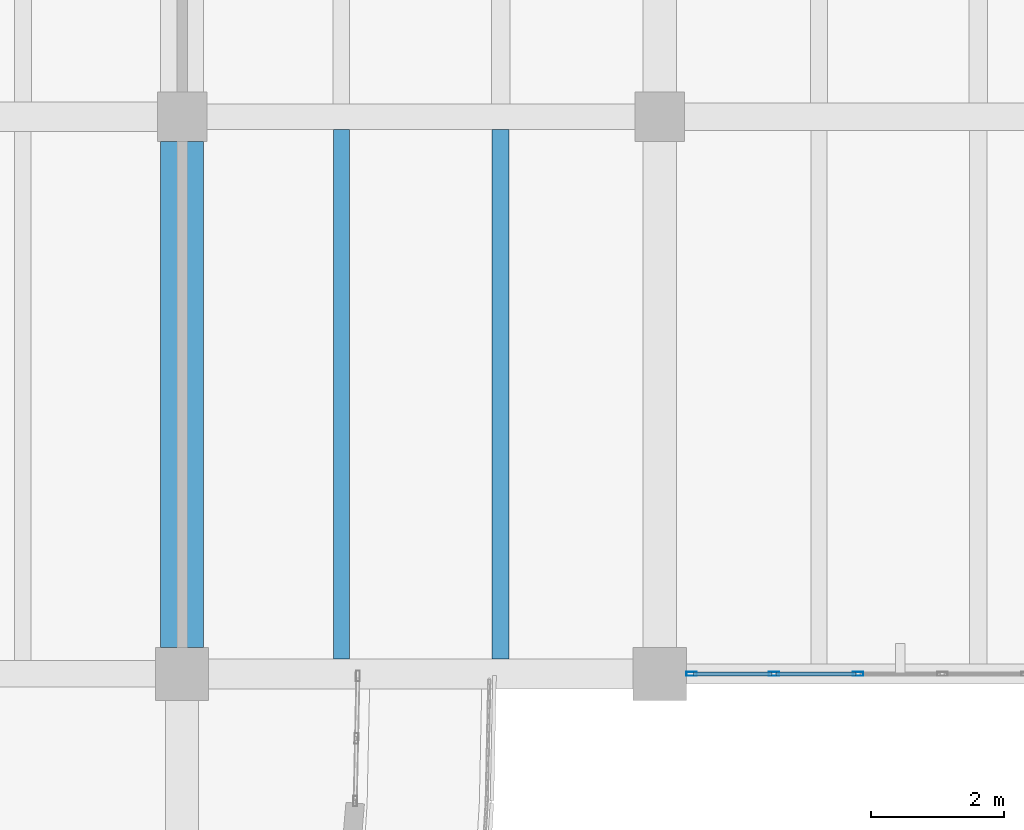
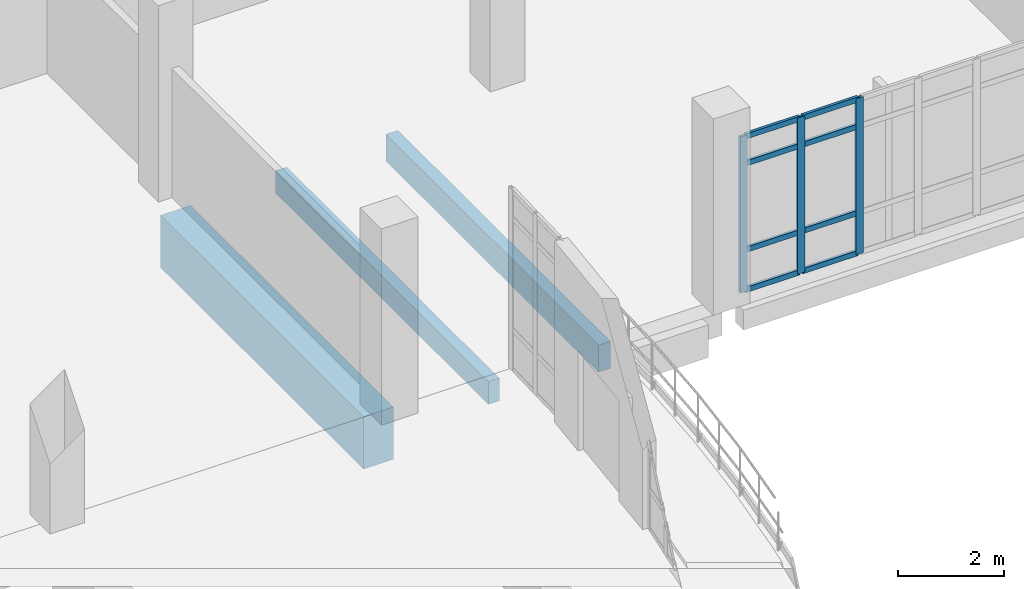
# One storey, part 68 of 116: 11 members, 3 beams, 1 element without a shape of its own.
"""IFC4 building model written with IfcOpenShell, lengths in metres."""

from ifc_helpers import new_model, si_unit, direction, frame, origin, origin_2d, place, context, subcontext, project, spatial, rectangle, hollow_rectangle, extrude, material, material_profile, profile_set, type_object, element, aggregate, save


model = new_model("IFC4")

# Units and contexts
model_context = context("Model", 3, precision=1e-05, world=origin(), true_north=direction((0.0, 1.0)))
body_context = subcontext(model_context, "Body", "Model", "MODEL_VIEW")
ifc_project = project(units=[si_unit("LENGTHUNIT", "METRE"), si_unit("AREAUNIT", "SQUARE_METRE"), si_unit("VOLUMEUNIT", "CUBIC_METRE"), si_unit("PLANEANGLEUNIT", "RADIAN"), si_unit("MASSUNIT", "GRAM", prefix="KILO")], contexts=[model_context])

# Site, building, storey
site_placement = place(None, origin())
site = spatial("IfcSite", under=ifc_project, at=site_placement, CompositionType="ELEMENT")
building_placement = place(site_placement, origin())
building = spatial("IfcBuilding", under=site, at=building_placement, Name="Kalluvel Institute of Natural Sciences", CompositionType="ELEMENT")
storey_placement = place(building_placement, frame((0.0, 0.0, 14.39990234375)))
storey = spatial("IfcBuildingStorey", under=building, at=storey_placement, Name="L03", CompositionType="ELEMENT", Elevation=14.39990234375)

# Beam
ifc_material_1 = material(Name="Concrete M50", Category="concrete")
ifc_material_profile_1 = material_profile(ifc_material_1, rectangle(XDim=0.64990234375, YDim=1.199951171875, at=origin_2d()), Name="RCB 650x1200")
ifc_profile_set_1 = profile_set([ifc_material_profile_1], Name="Concrete M50")
beam_type_1 = type_object("IfcBeamType", Name="BM-RC650x1200", PredefinedType="BEAM", material=ifc_profile_set_1)
beam_1_placement = place(storey_placement, frame((78.800048828125, 103.199951171875, -0.919921875), z_axis=(0.0, 1.0, 0.0), x_axis=(-1.0, 0.0, 0.0)))
element("IfcBeam", 1, at=beam_1_placement, inside=storey, type_object=beam_type_1, Name="L03 girder GIR-L03-NS-X788-Y1028", PredefinedType="BEAM", context=body_context, shape_type="SweptSolid", body=[
    extrude(rectangle(XDim=0.64990234375, YDim=1.199951171875, at=origin_2d()), origin(), (0.0, 0.0, 1.0), 7.625),
])

# Curtain wall, members
ifc_material_2 = material(Name="Aluminium AW-6063 T6", Category="aluminium")
curtain_wall_type = type_object("IfcCurtainWallType", Name="CW-WET-45", PredefinedType="USERDEFINED", material=ifc_material_2)
curtain_wall_placement = place(storey_placement, origin())
curtain_wall = element("IfcCurtainWall", 2, at=curtain_wall_placement, inside=storey, type_object=curtain_wall_type, Name="L03 Gothic lancet curtain wall CWA-L03-X864-Y1028", ObjectType="UNITISED LANCET FACADE", PredefinedType="USERDEFINED")
ifc_material_profile_2 = material_profile(ifc_material_2, hollow_rectangle(XDim=0.06005859375, YDim=0.159912109375, WallThickness=0.00390625, at=origin_2d()), Name="CWM 60x160")
ifc_profile_set_2 = profile_set([ifc_material_profile_2], Name="Aluminium AW-6063 T6")
member_type_1 = type_object("IfcMemberType", Name="CWM-60x160", PredefinedType="MULLION", material=ifc_profile_set_2)
member_1_placement = place(storey_placement, frame((86.47998046875, 102.800048828125, 0.0), z_axis=(0.0, 0.0, 1.0), x_axis=(0.0, 1.0, 0.0)))
member_1 = element("IfcMember", 3, at=member_1_placement, type_object=member_type_1, Name="CW-01 mullion 1", PredefinedType="MULLION", context=body_context, shape_type="SweptSolid", body=[
    extrude(hollow_rectangle(XDim=0.06005859375, YDim=0.159912109375, WallThickness=0.00390625, at=origin_2d()), origin(), (0.0, 0.0, 1.0), 3.580078125),
])
member_2_placement = place(storey_placement, frame((87.719970703125, 102.800048828125, 0.0), z_axis=(0.0, 0.0, 1.0), x_axis=(0.0, 1.0, 0.0)))
member_2 = element("IfcMember", 4, at=member_2_placement, type_object=member_type_1, Name="CW-01 mullion 2", PredefinedType="MULLION", context=body_context, shape_type="SweptSolid", body=[
    extrude(hollow_rectangle(XDim=0.06005859375, YDim=0.159912109375, WallThickness=0.00390625, at=origin_2d()), origin(), (0.0, 0.0, 1.0), 3.580078125),
])
member_3_placement = place(storey_placement, frame((88.989990234375, 102.800048828125, 0.0), z_axis=(0.0, 0.0, 1.0), x_axis=(0.0, 1.0, 0.0)))
member_3 = element("IfcMember", 5, at=member_3_placement, type_object=member_type_1, Name="CW-01 mullion 3", PredefinedType="MULLION", context=body_context, shape_type="SweptSolid", body=[
    extrude(hollow_rectangle(XDim=0.06005859375, YDim=0.159912109375, WallThickness=0.00390625, at=origin_2d()), origin(), (0.0, 0.0, 1.0), 3.580078125),
])
ifc_material_profile_3 = material_profile(ifc_material_2, hollow_rectangle(XDim=0.06005859375, YDim=0.1201171875, WallThickness=0.00390625, at=origin_2d()), Name="CWT 60x120")
ifc_profile_set_3 = profile_set([ifc_material_profile_3], Name="Aluminium AW-6063 T6")
member_type_2 = type_object("IfcMemberType", Name="CWT-60x120", PredefinedType="USERDEFINED", material=ifc_profile_set_3)
member_4_placement = place(storey_placement, frame((86.510009765625, 102.800048828125, 0.030029296875), z_axis=(1.0, 0.0, 0.0), x_axis=(0.0, 1.0, 0.0)))
member_4 = element("IfcMember", 6, at=member_4_placement, type_object=member_type_2, Name="CW-01 transom 1.1", ObjectType="TRANSOM", PredefinedType="USERDEFINED", context=body_context, shape_type="SweptSolid", body=[
    extrude(hollow_rectangle(XDim=0.06005859375, YDim=0.1201171875, WallThickness=0.00390625, at=origin_2d()), origin(), (0.0, 0.0, 1.0), 1.179931640625),
])
member_5_placement = place(storey_placement, frame((86.510009765625, 102.800048828125, 0.9501953125), z_axis=(1.0, 0.0, 0.0), x_axis=(0.0, 1.0, 0.0)))
member_5 = element("IfcMember", 7, at=member_5_placement, type_object=member_type_2, Name="CW-01 transom 1.2", ObjectType="TRANSOM", PredefinedType="USERDEFINED", context=body_context, shape_type="SweptSolid", body=[
    extrude(hollow_rectangle(XDim=0.06005859375, YDim=0.1201171875, WallThickness=0.00390625, at=origin_2d()), origin(), (0.0, 0.0, 1.0), 1.179931640625),
])
member_6_placement = place(storey_placement, frame((86.510009765625, 102.800048828125, 2.93017578125), z_axis=(1.0, 0.0, 0.0), x_axis=(0.0, 1.0, 0.0)))
member_6 = element("IfcMember", 8, at=member_6_placement, type_object=member_type_2, Name="CW-01 transom 1.3", ObjectType="TRANSOM", PredefinedType="USERDEFINED", context=body_context, shape_type="SweptSolid", body=[
    extrude(hollow_rectangle(XDim=0.06005859375, YDim=0.1201171875, WallThickness=0.00390625, at=origin_2d()), origin(), (0.0, 0.0, 1.0), 1.179931640625),
])
member_7_placement = place(storey_placement, frame((86.510009765625, 102.800048828125, 3.550048828125), z_axis=(1.0, 0.0, 0.0), x_axis=(0.0, 1.0, 0.0)))
member_7 = element("IfcMember", 9, at=member_7_placement, type_object=member_type_2, Name="CW-01 transom 1.4", ObjectType="TRANSOM", PredefinedType="USERDEFINED", context=body_context, shape_type="SweptSolid", body=[
    extrude(hollow_rectangle(XDim=0.06005859375, YDim=0.1201171875, WallThickness=0.00390625, at=origin_2d()), origin(), (0.0, 0.0, 1.0), 1.179931640625),
])
member_8_placement = place(storey_placement, frame((87.75, 102.800048828125, 0.030029296875), z_axis=(1.0, 0.0, 0.0), x_axis=(0.0, 1.0, 0.0)))
member_8 = element("IfcMember", 10, at=member_8_placement, type_object=member_type_2, Name="CW-01 transom 2.1", ObjectType="TRANSOM", PredefinedType="USERDEFINED", context=body_context, shape_type="SweptSolid", body=[
    extrude(hollow_rectangle(XDim=0.06005859375, YDim=0.1201171875, WallThickness=0.00390625, at=origin_2d()), origin(), (0.0, 0.0, 1.0), 1.2099609375),
])
member_9_placement = place(storey_placement, frame((87.75, 102.800048828125, 0.9501953125), z_axis=(1.0, 0.0, 0.0), x_axis=(0.0, 1.0, 0.0)))
member_9 = element("IfcMember", 11, at=member_9_placement, type_object=member_type_2, Name="CW-01 transom 2.2", ObjectType="TRANSOM", PredefinedType="USERDEFINED", context=body_context, shape_type="SweptSolid", body=[
    extrude(hollow_rectangle(XDim=0.06005859375, YDim=0.1201171875, WallThickness=0.00390625, at=origin_2d()), origin(), (0.0, 0.0, 1.0), 1.2099609375),
])
member_10_placement = place(storey_placement, frame((87.75, 102.800048828125, 2.93017578125), z_axis=(1.0, 0.0, 0.0), x_axis=(0.0, 1.0, 0.0)))
member_10 = element("IfcMember", 12, at=member_10_placement, type_object=member_type_2, Name="CW-01 transom 2.3", ObjectType="TRANSOM", PredefinedType="USERDEFINED", context=body_context, shape_type="SweptSolid", body=[
    extrude(hollow_rectangle(XDim=0.06005859375, YDim=0.1201171875, WallThickness=0.00390625, at=origin_2d()), origin(), (0.0, 0.0, 1.0), 1.2099609375),
])
member_11_placement = place(storey_placement, frame((87.75, 102.800048828125, 3.550048828125), z_axis=(1.0, 0.0, 0.0), x_axis=(0.0, 1.0, 0.0)))
member_11 = element("IfcMember", 13, at=member_11_placement, type_object=member_type_2, Name="CW-01 transom 2.4", ObjectType="TRANSOM", PredefinedType="USERDEFINED", context=body_context, shape_type="SweptSolid", body=[
    extrude(hollow_rectangle(XDim=0.06005859375, YDim=0.1201171875, WallThickness=0.00390625, at=origin_2d()), origin(), (0.0, 0.0, 1.0), 1.2099609375),
])
aggregate(curtain_wall, [member_1, member_2, member_3, member_4, member_5, member_6, member_7, member_8, member_9, member_10, member_11])

# Beams
ifc_material_3 = material(Name="Concrete M40", Category="concrete")
ifc_material_profile_4 = material_profile(ifc_material_3, rectangle(XDim=0.239990234375, YDim=0.52001953125, at=origin_2d()), Name="WAF 240x520")
ifc_profile_set_4 = profile_set([ifc_material_profile_4], Name="Concrete M40")
beam_type_2 = type_object("IfcBeamType", Name="WJ-240x520", PredefinedType="JOIST", material=ifc_profile_set_4)
beam_2_placement = place(storey_placement, frame((81.199951171875, 103.02490234375, -0.579833984375), z_axis=(0.0, 1.0, 0.0), x_axis=(-1.0, 0.0, 0.0)))
element("IfcBeam", 14, at=beam_2_placement, inside=storey, type_object=beam_type_2, Name="L03 waffle joist RIB-L03-0263", PredefinedType="JOIST", context=body_context, shape_type="SweptSolid", body=[
    extrude(rectangle(XDim=0.239990234375, YDim=0.52001953125, at=origin_2d()), origin(), (0.0, 0.0, 1.0), 7.985107421875),
])
ifc_material_profile_5 = material_profile(ifc_material_1, rectangle(XDim=0.260009765625, YDim=0.6201171875, at=origin_2d()), Name="WAF 260x620")
ifc_profile_set_5 = profile_set([ifc_material_profile_5], Name="Concrete M50")
beam_type_3 = type_object("IfcBeamType", Name="WJ-260x620", PredefinedType="JOIST", material=ifc_profile_set_5)
beam_3_placement = place(storey_placement, frame((83.60009765625, 103.02490234375, -0.6298828125), z_axis=(0.0, 1.0, 0.0), x_axis=(-1.0, 0.0, 0.0)))
element("IfcBeam", 15, at=beam_3_placement, inside=storey, type_object=beam_type_3, Name="L03 waffle joist RIB-L03-0264", PredefinedType="JOIST", context=body_context, shape_type="SweptSolid", body=[
    extrude(rectangle(XDim=0.260009765625, YDim=0.6201171875, at=origin_2d()), origin(), (0.0, 0.0, 1.0), 7.985107421875),
])

save(model, "model.ifc")
